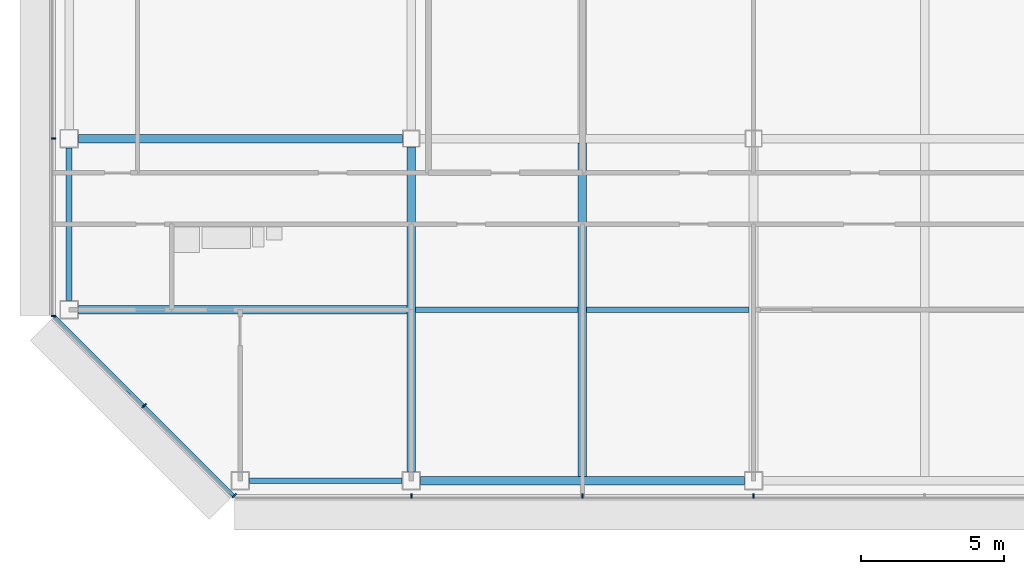
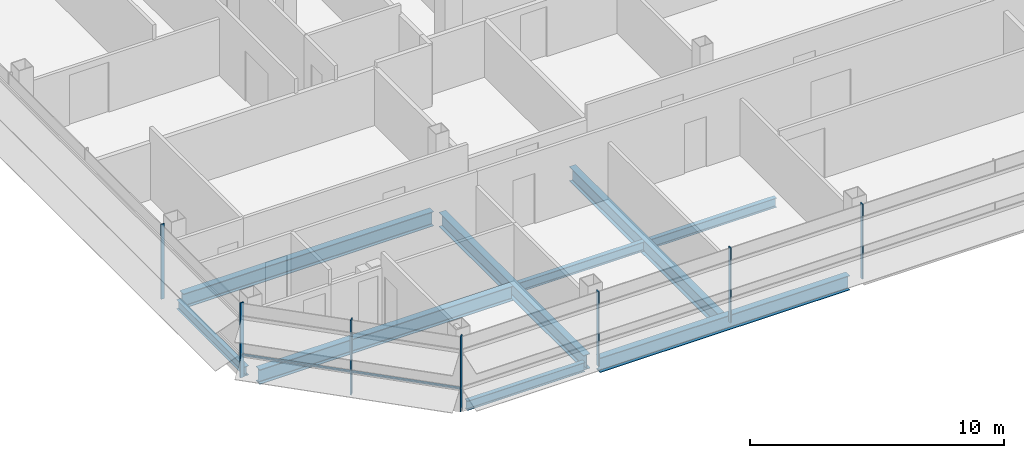
# One storey, part 2 of 27: 9 beams, 8 members, 3 elements without a shape of their own.
"""IFC4 building model written with IfcOpenShell, lengths in metres."""

import ifcopenshell
import ifcopenshell.guid

model = None  # the IFC model being written
_history = None  # IfcOwnerHistory: only IFC2X3 demands one
_inside = {}  # id of a spatial element -> (the spatial element, [elements in it])
_under = {}  # id of a project, library or spatial element -> (it, [spatial elements below it])
_declared = {}  # id of a project -> (the project, [libraries it declares])
_typed = {}  # id of a type object -> (the type object, [elements of that type])
_made_of = {}  # id of a material, layer set ... -> (it, [elements and type objects made of it])


def new_model(schema):
    """Start an empty IFC model of exactly this schema.

    Asked for "IFC4X3", IfcOpenShell would pick the latest addendum, in which some entities
    have other attributes; the version numbers below select the first issue.
    IFC2X3 requires an IfcOwnerHistory on every rooted entity: one is made here for all.
    """
    global model, _history
    if schema == "IFC4X3":
        model = ifcopenshell.file(schema_version=(4, 3, 0, 0))
    else:
        model = ifcopenshell.file(schema=schema)
    _inside.clear()
    _under.clear()
    _declared.clear()
    _typed.clear()
    _made_of.clear()
    _history = None
    if model.schema == "IFC2X3":
        org = make("IfcOrganization", Name="unknown")
        user = make(
            "IfcPersonAndOrganization",
            ThePerson=make("IfcPerson", FamilyName="unknown"),
            TheOrganization=org,
        )
        app = make(
            "IfcApplication",
            ApplicationDeveloper=org,
            Version="unknown",
            ApplicationFullName="unknown",
            ApplicationIdentifier="unknown",
        )
        _history = make(
            "IfcOwnerHistory",
            OwningUser=user,
            OwningApplication=app,
            ChangeAction="ADDED",
            CreationDate=0,
        )
    return model


def make(cls, **values):
    """One entity of the class cls with the attributes given. An attribute that is None is left unset."""
    return model.create_entity(
        cls, **{name: value for name, value in values.items() if value is not None}
    )


def rooted(cls, **values):
    """An entity with a GlobalId (a new one), such as an element, a storey or a relation."""
    return make(cls, GlobalId=ifcopenshell.guid.new(), OwnerHistory=_history, **values)


def si_unit(unit_type, name, prefix=None):
    """IfcSIUnit, for example si_unit("LENGTHUNIT", "METRE", prefix="MILLI")."""
    return make("IfcSIUnit", UnitType=unit_type, Prefix=prefix, Name=name)


def assignment(units):
    """IfcUnitAssignment: the units of a project."""
    return None if units is None else make("IfcUnitAssignment", Units=units)


def point(xyz):
    """IfcCartesianPoint."""
    return None if xyz is None else make("IfcCartesianPoint", Coordinates=xyz)


def direction(xyz):
    """IfcDirection."""
    return None if xyz is None else make("IfcDirection", DirectionRatios=xyz)


def frame(location, z_axis=None, x_axis=None):
    """IfcAxis2Placement3D, a coordinate frame: its origin and axes. An axis left out is left unset."""
    return make(
        "IfcAxis2Placement3D",
        Location=point(location),
        Axis=direction(z_axis),
        RefDirection=direction(x_axis),
    )


def frame_2d(location, x_axis=None):
    """IfcAxis2Placement2D, a coordinate frame in the plane: its origin and x axis."""
    return make(
        "IfcAxis2Placement2D", Location=point(location), RefDirection=direction(x_axis)
    )


def origin():
    """The frame at (0, 0, 0) with its axes left unset."""
    return frame((0.0, 0.0, 0.0))


def origin_2d():
    """The frame at (0, 0) in the plane with its x axis left unset."""
    return frame_2d((0.0, 0.0))


def place(relative_to, where):
    """IfcLocalPlacement: puts the frame where relative to a parent placement (None: the world)."""
    return make(
        "IfcLocalPlacement", PlacementRelTo=relative_to, RelativePlacement=where
    )


def context(
    kind, dimensions, precision=None, world=None, true_north=None, identifier=None
):
    """IfcGeometricRepresentationContext, for example the 3D "Model" context."""
    return make(
        "IfcGeometricRepresentationContext",
        ContextIdentifier=identifier,
        ContextType=kind,
        CoordinateSpaceDimension=dimensions,
        Precision=precision,
        WorldCoordinateSystem=world,
        TrueNorth=true_north,
    )


def subcontext(parent, identifier, kind, view, scale=None):
    """IfcGeometricRepresentationSubContext, for example "Body" below "Model"."""
    return make(
        "IfcGeometricRepresentationSubContext",
        ContextIdentifier=identifier,
        ContextType=kind,
        ParentContext=parent,
        TargetScale=scale,
        TargetView=view,
    )


def project(units=None, contexts=None):
    """IfcProject with its units and contexts."""
    return rooted(
        "IfcProject",
        Name="project",
        RepresentationContexts=contexts,
        UnitsInContext=assignment(units),
    )


def spatial(cls, under=None, at=None, **own):
    """A site, building, storey or space (cls), placed at a placement, below another one or the project."""
    s = rooted(cls, ObjectPlacement=at, **own)
    if under is not None:
        _under.setdefault(under.id(), (under, []))[1].append(s)
    return s


def profile(cls, at=None, kind="AREA", **sizes):
    """A parametric profile (cls). Its sizes go by their IFC names, for example OverallWidth=200.0."""
    return make(cls, ProfileType=kind, Position=at, **sizes)


def rectangle(**sizes):
    """IfcRectangleProfileDef."""
    return profile("IfcRectangleProfileDef", **sizes)


def i_section(**sizes):
    """IfcIShapeProfileDef."""
    return profile("IfcIShapeProfileDef", **sizes)


def extrude(swept, where, along, depth):
    """IfcExtrudedAreaSolid: the profile swept, set in the frame where, extruded along a direction by depth."""
    return make(
        "IfcExtrudedAreaSolid",
        SweptArea=swept,
        Position=where,
        ExtrudedDirection=direction(along),
        Depth=depth,
    )


def shape(context_of_items, identifier, shape_type, items):
    """IfcShapeRepresentation: the items that make up one representation, for example the "Body"."""
    return make(
        "IfcShapeRepresentation",
        ContextOfItems=context_of_items,
        RepresentationIdentifier=identifier,
        RepresentationType=shape_type,
        Items=items,
    )


def material(Name=None, Category=None):
    """IfcMaterial."""
    return make("IfcMaterial", Name=Name, Category=Category)


def material_profile(
    of_material, cross_section, Name=None, Category=None, Priority=None
):
    """IfcMaterialProfile: a cross section and its material."""
    return make(
        "IfcMaterialProfile",
        Name=Name,
        Material=of_material,
        Profile=cross_section,
        Priority=Priority,
        Category=Category,
    )


def profile_set(profiles, Name=None, composite=None):
    """IfcMaterialProfileSet."""
    return make(
        "IfcMaterialProfileSet",
        Name=Name,
        MaterialProfiles=profiles,
        CompositeProfile=composite,
    )


def made_of(thing, what):
    """Note that an element or type object is made of a material, layer set ...; save() writes the relation."""
    if what is not None:
        _made_of.setdefault(what.id(), (what, []))[1].append(thing)
    return thing


def type_object(cls, material=None, **own):
    """A type object (cls), such as IfcWallType, which elements share."""
    return made_of(rooted(cls, **own), material)


def element(
    cls,
    number,
    at=None,
    inside=None,
    cuts=None,
    type_object=None,
    material=None,
    context=None,
    identifier="Body",
    shape_type=None,
    held_by="IfcProductDefinitionShape",
    body=None,
    shapes=None,
    **own,
):
    """One element of the class cls, such as IfcWall. Its Tag is "e" and its number.

    at: its placement. inside: the storey or other place that contains it. cuts: it is an
    opening in that element (IfcRelVoidsElement). A single representation is given by context,
    identifier, shape_type and body (its items); several are given by shapes. held_by: the class
    of the entity that holds the representations. save() writes the other relations.
    """
    e = rooted(cls, Tag="e%d" % number, ObjectPlacement=at, **own)
    if body is not None:
        shapes = [shape(context, identifier, shape_type, body)]
    if shapes is not None:
        e.Representation = make(held_by, Representations=shapes)
    if inside is not None:
        _inside.setdefault(inside.id(), (inside, []))[1].append(e)
    if cuts is not None:
        rooted(
            "IfcRelVoidsElement", RelatingBuildingElement=cuts, RelatedOpeningElement=e
        )
    if type_object is not None:
        _typed.setdefault(type_object.id(), (type_object, []))[1].append(e)
    return made_of(e, material)


def aggregate(whole, parts):
    """IfcRelAggregates: a whole, such as a stair, and the parts it consists of."""
    return rooted("IfcRelAggregates", RelatingObject=whole, RelatedObjects=parts)


def save(model, path):
    """Write the relations noted so far, then the file.

    IfcRelAggregates (storeys below a building ...), IfcRelContainedInSpatialStructure (elements
    in a storey), IfcRelDefinesByType, IfcRelAssociatesMaterial and IfcRelDeclares: one each for
    every whole, place, type object, material and project.
    """
    for whole, parts in _under.values():
        aggregate(whole, parts)
    for where, things in _inside.values():
        rooted(
            "IfcRelContainedInSpatialStructure",
            RelatedElements=things,
            RelatingStructure=where,
        )
    for kind, things in _typed.values():
        rooted("IfcRelDefinesByType", RelatedObjects=things, RelatingType=kind)
    for what, things in _made_of.values():
        rooted("IfcRelAssociatesMaterial", RelatedObjects=things, RelatingMaterial=what)
    for by, libraries in _declared.values():
        rooted("IfcRelDeclares", RelatingContext=by, RelatedDefinitions=libraries)
    model.write(path)


model = new_model("IFC4")

# Units and contexts
model_context = context("Model", 3, precision=1e-05, world=origin(), true_north=direction((0.0, 1.0)))
body_context = subcontext(model_context, "Body", "Model", "MODEL_VIEW")
ifc_project = project(units=[si_unit("LENGTHUNIT", "METRE"), si_unit("AREAUNIT", "SQUARE_METRE"), si_unit("VOLUMEUNIT", "CUBIC_METRE"), si_unit("PLANEANGLEUNIT", "RADIAN"), si_unit("MASSUNIT", "GRAM", prefix="KILO")], contexts=[model_context])

# Site, building, storey
site_placement = place(None, origin())
site = spatial("IfcSite", under=ifc_project, at=site_placement, CompositionType="ELEMENT")
building_placement = place(site_placement, origin())
building = spatial("IfcBuilding", under=site, at=building_placement, Name="Sorahane Residences", CompositionType="ELEMENT")
storey_placement = place(building_placement, frame((0.0, 0.0, 239.60009765625)))
storey = spatial("IfcBuildingStorey", under=building, at=storey_placement, Name="L56", CompositionType="ELEMENT", Elevation=239.60009765625)

# Curtain wall, members
ifc_material_1 = material(Name="Dark low-e glass and black anodised aluminium", Category="aluminium")
curtain_wall_type_1 = type_object("IfcCurtainWallType", Name="Curtain wall CW-1 Typical unitised wall", PredefinedType="NOTDEFINED", material=ifc_material_1)
curtain_wall_1_placement = place(storey_placement, origin())
curtain_wall_1 = element("IfcCurtainWall", 1, at=curtain_wall_1_placement, inside=storey, type_object=curtain_wall_type_1, Name="CW-1 curtain wall L56 S1", PredefinedType="NOTDEFINED")
ifc_material_2 = material(Name="Black anodised aluminium", Category="aluminium")
ifc_material_profile_1 = material_profile(ifc_material_2, rectangle(XDim=0.159912109375, YDim=0.050048828125, at=origin_2d()), Name="Curtain wall mullion CW-1 black anodised aluminium 50x160")
ifc_profile_set_1 = profile_set([ifc_material_profile_1], Name="Black anodised aluminium")
member_type_1 = type_object("IfcMemberType", Name="Curtain wall mullion CW-1 black anodised aluminium 50x160", PredefinedType="MULLION", material=ifc_profile_set_1)
member_1_placement = place(storey_placement, frame((0.0, -0.5400390625, -0.18017578125), z_axis=(0.0, 0.0, 1.0), x_axis=(0.0, -1.0, 0.0)))
member_1 = element("IfcMember", 2, at=member_1_placement, type_object=member_type_1, Name="CW-1 mullion L56 S1.2", PredefinedType="MULLION", context=body_context, shape_type="SweptSolid", body=[
    extrude(rectangle(XDim=0.159912109375, YDim=0.050048828125, at=origin_2d()), origin(), (0.0, 0.0, 1.0), 3.60009765625),
])
member_2_placement = place(storey_placement, frame((6.0, -0.5400390625, -0.18017578125), z_axis=(0.0, 0.0, 1.0), x_axis=(0.0, -1.0, 0.0)))
member_2 = element("IfcMember", 3, at=member_2_placement, type_object=member_type_1, Name="CW-1 mullion L56 S1.3", PredefinedType="MULLION", context=body_context, shape_type="SweptSolid", body=[
    extrude(rectangle(XDim=0.159912109375, YDim=0.050048828125, at=origin_2d()), origin(), (0.0, 0.0, 1.0), 3.60009765625),
])
member_3_placement = place(storey_placement, frame((12.0, -0.5400390625, -0.18017578125), z_axis=(0.0, 0.0, 1.0), x_axis=(0.0, -1.0, 0.0)))
member_3 = element("IfcMember", 4, at=member_3_placement, type_object=member_type_1, Name="CW-1 mullion L56 S1.4", PredefinedType="MULLION", context=body_context, shape_type="SweptSolid", body=[
    extrude(rectangle(XDim=0.159912109375, YDim=0.050048828125, at=origin_2d()), origin(), (0.0, 0.0, 1.0), 3.60009765625),
])
aggregate(curtain_wall_1, [member_1, member_2, member_3])

curtain_wall_2_placement = place(storey_placement, origin())
curtain_wall_2 = element("IfcCurtainWall", 5, at=curtain_wall_2_placement, inside=storey, type_object=curtain_wall_type_1, Name="CW-1 curtain wall L56 W1", PredefinedType="NOTDEFINED")
member_4_placement = place(storey_placement, frame((-12.5400390625, 12.0, -0.18017578125), z_axis=(0.0, 0.0, 1.0), x_axis=(-1.0, 0.0, 0.0)))
member_4 = element("IfcMember", 6, at=member_4_placement, type_object=member_type_1, Name="CW-1 mullion L56 W1.6", PredefinedType="MULLION", context=body_context, shape_type="SweptSolid", body=[
    extrude(rectangle(XDim=0.159912109375, YDim=0.050048828125, at=origin_2d()), origin(), (0.0, 0.0, 1.0), 3.60009765625),
])
member_5_placement = place(storey_placement, frame((-12.5400390625, 5.7763671875, -0.18017578125), z_axis=(0.0, 0.0, 1.0), x_axis=(-1.0, 0.0, 0.0)))
member_5 = element("IfcMember", 7, at=member_5_placement, type_object=member_type_1, Name="CW-1 mullion L56 W1.7", PredefinedType="MULLION", context=body_context, shape_type="SweptSolid", body=[
    extrude(rectangle(XDim=0.159912109375, YDim=0.050048828125, at=origin_2d()), origin(), (0.0, 0.0, 1.0), 3.60009765625),
])
aggregate(curtain_wall_2, [member_4, member_5])

ifc_material_3 = material(Name="Dark low-e glass and black anodised aluminium", Category="aluminium")
curtain_wall_type_2 = type_object("IfcCurtainWallType", Name="Curtain wall CW-2 Chamfer unitised wall", PredefinedType="NOTDEFINED", material=ifc_material_3)
curtain_wall_3_placement = place(storey_placement, origin())
curtain_wall_3 = element("IfcCurtainWall", 8, at=curtain_wall_3_placement, inside=storey, type_object=curtain_wall_type_2, Name="CW-2 curtain wall L56 SW1", PredefinedType="NOTDEFINED")
ifc_material_4 = material(Name="Black anodised aluminium", Category="aluminium")
ifc_material_profile_2 = material_profile(ifc_material_4, rectangle(XDim=0.199951171875, YDim=0.050048828125, at=origin_2d()), Name="Curtain wall mullion CW-2 black anodised aluminium 50x200")
ifc_profile_set_2 = profile_set([ifc_material_profile_2], Name="Black anodised aluminium")
member_type_2 = type_object("IfcMemberType", Name="Curtain wall mullion CW-2 black anodised aluminium 50x200", PredefinedType="MULLION", material=ifc_profile_set_2)
member_6_placement = place(storey_placement, frame((-9.36767578125, 2.63232421875, -0.18017578125), z_axis=(0.0, 0.0, 1.0), x_axis=(-0.707106781187, -0.707106781187, 0.0)))
member_6 = element("IfcMember", 9, at=member_6_placement, type_object=member_type_2, Name="CW-2 mullion L56 SW1.2", PredefinedType="MULLION", context=body_context, shape_type="SweptSolid", body=[
    extrude(rectangle(XDim=0.199951171875, YDim=0.050048828125, at=origin_2d()), origin(), (0.0, 0.0, 1.0), 3.60009765625),
])
member_7_placement = place(storey_placement, frame((-6.209716796875, -0.525634765625, -0.18017578125), z_axis=(0.0, 0.0, 1.0), x_axis=(-0.707106781187, -0.707106781187, 0.0)))
member_7 = element("IfcMember", 10, at=member_7_placement, type_object=member_type_2, Name="CW-2 mullion L56 SW1.3", PredefinedType="MULLION", context=body_context, shape_type="SweptSolid", body=[
    extrude(rectangle(XDim=0.199951171875, YDim=0.050048828125, at=origin_2d()), origin(), (0.0, 0.0, 1.0), 3.60009765625),
])
ifc_material_5 = material(Name="Black anodised aluminium", Category="aluminium")
ifc_material_profile_3 = material_profile(ifc_material_5, rectangle(XDim=0.10009765625, YDim=0.06005859375, at=origin_2d()), Name="Curtain wall transom CW-2 black anodised aluminium 60x100")
ifc_profile_set_3 = profile_set([ifc_material_profile_3], Name="Black anodised aluminium")
member_type_3 = type_object("IfcMemberType", Name="Curtain wall transom CW-2 black anodised aluminium 60x100", PredefinedType="USERDEFINED", material=ifc_profile_set_3)
member_8_placement = place(storey_placement, frame((-12.51513671875, 5.765625, 0.89990234375), z_axis=(0.707106781187, -0.707106781187, 0.0), x_axis=(0.707106781187, 0.707106781187, 0.0)))
member_8 = element("IfcMember", 11, at=member_8_placement, type_object=member_type_3, Name="CW-2 transom L56 SW1", ObjectType="TRANSOM", PredefinedType="USERDEFINED", context=body_context, shape_type="SweptSolid", body=[
    extrude(rectangle(XDim=0.10009765625, YDim=0.06005859375, at=origin_2d()), origin(), (0.0, 0.0, 1.0), 8.88232421875),
])
aggregate(curtain_wall_3, [member_6, member_7, member_8])

# Beams
ifc_material_6 = material(Name="Steel Q355B", Category="steel")
ifc_material_profile_4 = material_profile(ifc_material_6, i_section(OverallWidth=0.199951171875, OverallDepth=0.449951171875, WebThickness=0.009033203125, FlangeThickness=0.013916015625, FilletRadius=0.02001953125, at=origin_2d()), Name="HN 450x200x9x14")
ifc_profile_set_4 = profile_set([ifc_material_profile_4], Name="Steel Q355B")
beam_type_1 = type_object("IfcBeamType", Name="Steel floor beam HN 450x200x9x14 Q355B", PredefinedType="BEAM", material=ifc_profile_set_4)
for number, where, z_axis, x_axis, name in (
    (12, (-5.675048828125, 0.0, -0.405029296875), (1.0, 0.0, 0.0), (0.0, 1.0, 0.0), "Beam L56 000"),
    (13, (-12.0, 6.324951171875, -0.405029296875), (0.0, 1.0, 0.0), (-1.0, 0.0, 0.0), "Beam L56 020"),
):
    element("IfcBeam", number, at=place(storey_placement, frame(where, z_axis=z_axis, x_axis=x_axis)), inside=storey, type_object=beam_type_1, Name=name, PredefinedType="BEAM", context=body_context, shape_type="SweptSolid", body=[
        extrude(i_section(OverallWidth=0.199951171875, OverallDepth=0.449951171875, WebThickness=0.009033203125, FlangeThickness=0.013916015625, FilletRadius=0.02001953125, at=origin_2d()), origin(), (0.0, 0.0, 1.0), 5.35009765625),
    ])
for number, where, z_axis, x_axis, name in (
    (14, (0.14990234375, 6.0, -0.405029296875), (1.0, 0.0, 0.0), (0.0, 1.0, 0.0), "Beam L56 069"),
    (15, (6.14990234375, 6.0, -0.405029296875), (1.0, 0.0, 0.0), (0.0, 1.0, 0.0), "Beam L56 070"),
):
    element("IfcBeam", number, at=place(storey_placement, frame(where, z_axis=z_axis, x_axis=x_axis)), inside=storey, type_object=beam_type_1, Name=name, PredefinedType="BEAM", context=body_context, shape_type="SweptSolid", body=[
        extrude(i_section(OverallWidth=0.199951171875, OverallDepth=0.449951171875, WebThickness=0.009033203125, FlangeThickness=0.013916015625, FilletRadius=0.02001953125, at=origin_2d()), origin(), (0.0, 0.0, 1.0), 5.7001953125),
    ])
ifc_material_7 = material(Name="Steel Q355B", Category="steel")
ifc_material_profile_5 = material_profile(ifc_material_7, i_section(OverallWidth=0.300048828125, OverallDepth=0.699951171875, WebThickness=0.012939453125, FlangeThickness=0.02392578125, FilletRadius=0.028076171875, at=origin_2d()), Name="HN 700x300x13x24")
ifc_profile_set_5 = profile_set([ifc_material_profile_5], Name="Steel Q355B")
beam_type_2 = type_object("IfcBeamType", Name="Steel floor beam HN 700x300x13x24 Q355B", PredefinedType="BEAM", material=ifc_profile_set_5)
beam_1_placement = place(storey_placement, frame((0.324951171875, 0.0, -0.530029296875), z_axis=(1.0, 0.0, 0.0), x_axis=(0.0, 1.0, 0.0)))
element("IfcBeam", 16, at=beam_1_placement, inside=storey, type_object=beam_type_2, Name="Beam L56 001", PredefinedType="BEAM", context=body_context, shape_type="SweptSolid", body=[
    extrude(i_section(OverallWidth=0.300048828125, OverallDepth=0.699951171875, WebThickness=0.012939453125, FlangeThickness=0.02392578125, FilletRadius=0.028076171875, at=origin_2d()), origin(), (0.0, 0.0, 1.0), 11.35009765625),
])
for number, where, z_axis, x_axis, name in (
    (17, (-11.675048828125, 12.0, -0.530029296875), (1.0, 0.0, 0.0), (0.0, 1.0, 0.0), "Beam L56 005"),
    (18, (0.0, 0.324951171875, -0.530029296875), (0.0, 1.0, 0.0), (-1.0, 0.0, 0.0), "Beam L56 024"),
):
    element("IfcBeam", number, at=place(storey_placement, frame(where, z_axis=z_axis, x_axis=x_axis)), inside=storey, type_object=beam_type_2, Name=name, PredefinedType="BEAM", context=body_context, shape_type="SweptSolid", body=[
        extrude(i_section(OverallWidth=0.300048828125, OverallDepth=0.699951171875, WebThickness=0.012939453125, FlangeThickness=0.02392578125, FilletRadius=0.028076171875, at=origin_2d()), origin(), (0.0, 0.0, 1.0), 11.375),
    ])
beam_2_placement = place(storey_placement, frame((6.0, 0.14990234375, -0.530029296875), z_axis=(0.0, 1.0, 0.0), x_axis=(-1.0, 0.0, 0.0)))
element("IfcBeam", 19, at=beam_2_placement, inside=storey, type_object=beam_type_2, Name="Beam L56 028", PredefinedType="BEAM", context=body_context, shape_type="SweptSolid", body=[
    extrude(i_section(OverallWidth=0.300048828125, OverallDepth=0.699951171875, WebThickness=0.012939453125, FlangeThickness=0.02392578125, FilletRadius=0.028076171875, at=origin_2d()), origin(), (0.0, 0.0, 1.0), 11.7001953125),
])
beam_3_placement = place(storey_placement, frame((-11.675048828125, 6.0, -0.530029296875), z_axis=(1.0, 0.0, 0.0), x_axis=(0.0, 1.0, 0.0)))
element("IfcBeam", 20, at=beam_3_placement, inside=storey, type_object=beam_type_2, Name="Beam L56 068", PredefinedType="BEAM", context=body_context, shape_type="SweptSolid", body=[
    extrude(i_section(OverallWidth=0.300048828125, OverallDepth=0.699951171875, WebThickness=0.012939453125, FlangeThickness=0.02392578125, FilletRadius=0.028076171875, at=origin_2d()), origin(), (0.0, 0.0, 1.0), 11.525146484375),
])

save(model, "model.ifc")
